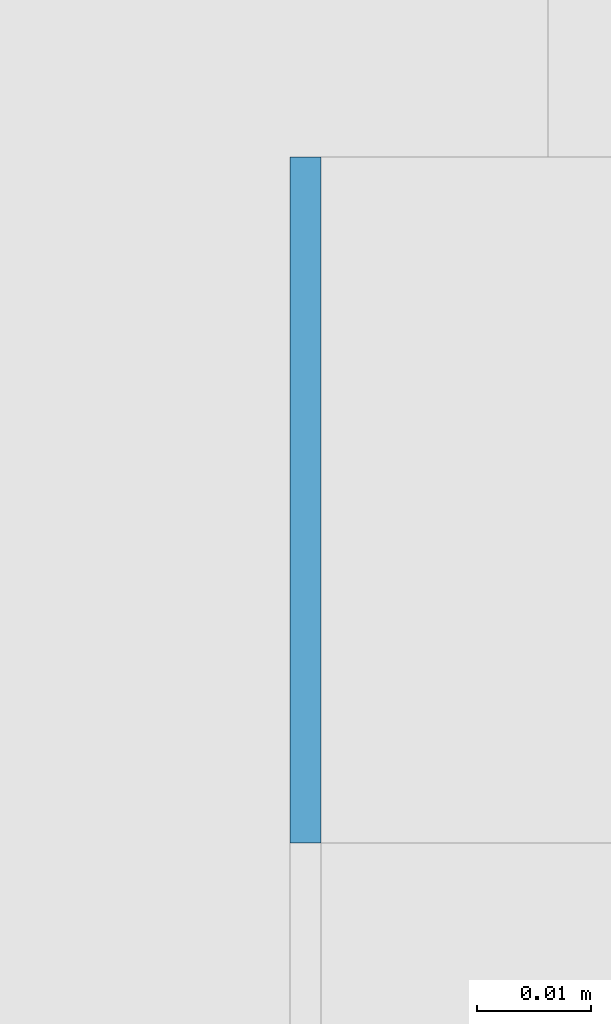
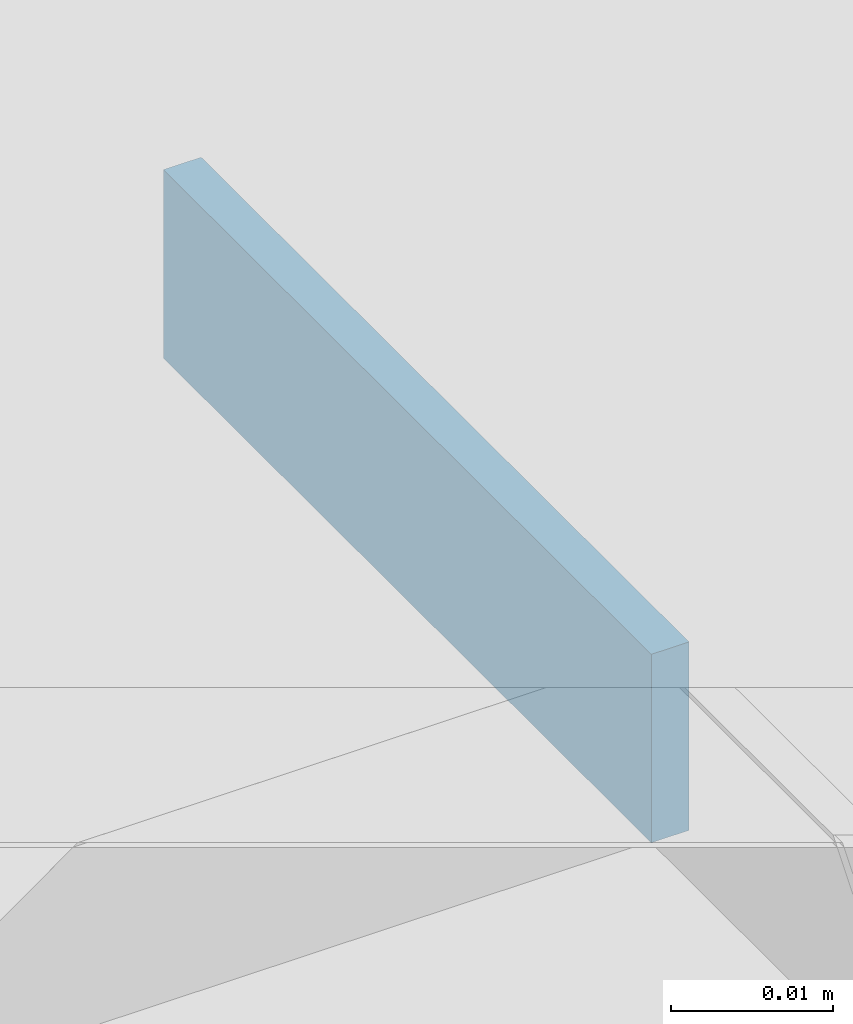
# One storey, part 541 of 646: 1 discrete accessory.
"""IFC4 building model written with IfcOpenShell, lengths in metres."""

from ifc_helpers import new_model, si_unit, direction, frame, origin, origin_2d, place, context, subcontext, project, spatial, rectangle, extrude, material, type_object, element, save


model = new_model("IFC4")

# Units and contexts
model_context = context("Model", 3, precision=1e-05, world=origin(), true_north=direction((0.0, 1.0)))
body_context = subcontext(model_context, "Body", "Model", "MODEL_VIEW")
ifc_project = project(units=[si_unit("LENGTHUNIT", "METRE"), si_unit("AREAUNIT", "SQUARE_METRE"), si_unit("VOLUMEUNIT", "CUBIC_METRE"), si_unit("PLANEANGLEUNIT", "RADIAN"), si_unit("MASSUNIT", "GRAM", prefix="KILO")], contexts=[model_context])

# Site, building, storey
site_placement = place(None, origin())
site = spatial("IfcSite", under=ifc_project, at=site_placement, CompositionType="ELEMENT")
building_placement = place(site_placement, origin())
building = spatial("IfcBuilding", under=site, at=building_placement, Name="Silverbay Arena", CompositionType="ELEMENT")
storey_placement = place(building_placement, frame((0.0, 0.0, 33.5)))
storey = spatial("IfcBuildingStorey", under=building, at=storey_placement, Name="L05", CompositionType="ELEMENT", Elevation=33.5)

# Discrete accessory
ifc_material = material(Name="Steel S355", Category="steel")
discrete_accessory_type = type_object("IfcDiscreteAccessoryType", Name="Steel bracket plate", PredefinedType="BRACKET", material=ifc_material)
discrete_accessory_placement = place(storey_placement, frame((207.128662109375, 90.030029296875, 12.98583984375), z_axis=(0.0, 0.0, 1.0), x_axis=(1.0, 0.0, 0.0)))
element("IfcDiscreteAccessory", 1, at=discrete_accessory_placement, inside=storey, type_object=discrete_accessory_type, Name="Curtain wall packing plate", PredefinedType="BRACKET", context=body_context, shape_type="SweptSolid", body=[
    extrude(rectangle(XDim=0.002685546875, YDim=0.06005859375, at=origin_2d()), origin(), (0.0, 0.0, 1.0), 0.01416015625),
])

save(model, "model.ifc")
